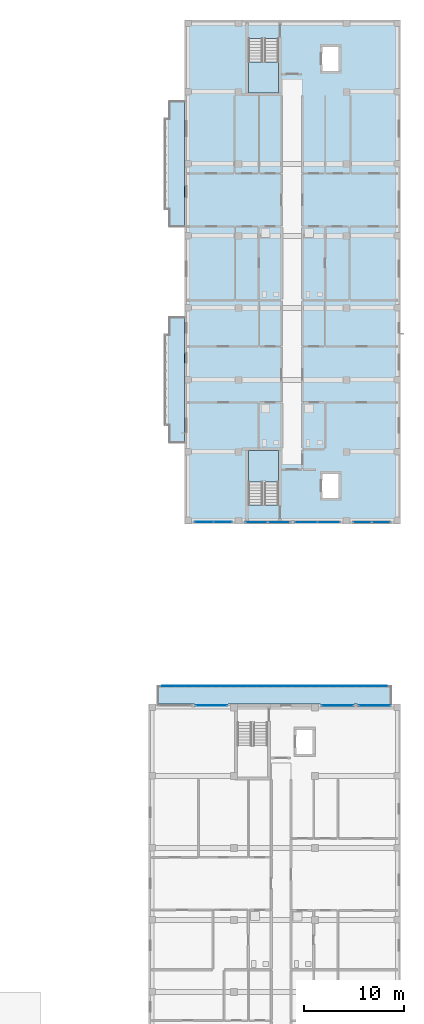
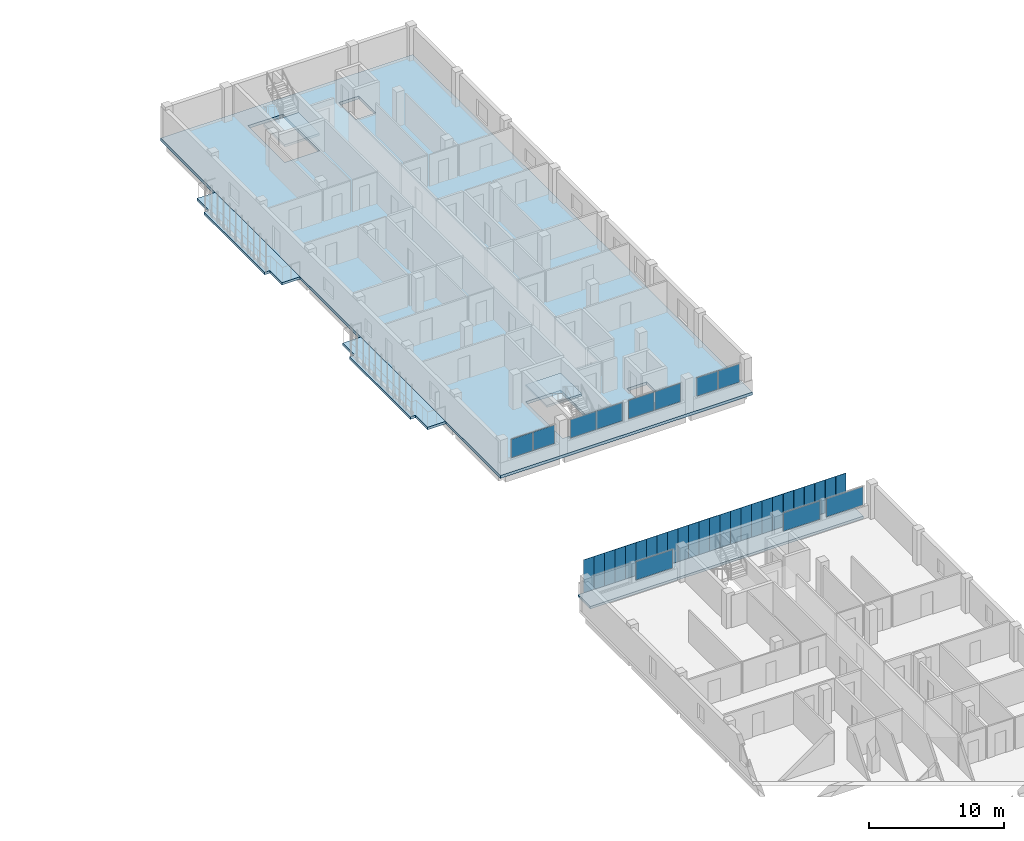
# One storey, part 23 of 51: 36 plates, 6 slabs, 9 elements without a shape of their own.
"""IFC4 building model written with IfcOpenShell, lengths in metres."""

from ifc_helpers import new_model, si_unit, derived_unit, direction, frame, origin, origin_2d, place, context, subcontext, project, spatial, polyline, rectangle, outline, extrude, material, layer, layer_set, type_object, element, aggregate, save


model = new_model("IFC4")

# Units and contexts
model_context = context("Model", 3, precision=1e-05, world=origin(), true_north=direction((0.0, 1.0)))
body_context = subcontext(model_context, "Body", "Model", "MODEL_VIEW")
ifc_project = project(units=[si_unit("LENGTHUNIT", "METRE"), si_unit("AREAUNIT", "SQUARE_METRE"), si_unit("VOLUMEUNIT", "CUBIC_METRE"), si_unit("PLANEANGLEUNIT", "RADIAN"), si_unit("MASSUNIT", "GRAM", prefix="KILO"), derived_unit("THERMALTRANSMITTANCEUNIT", [(si_unit("MASSUNIT", "GRAM", prefix="KILO"), 1), (si_unit("TIMEUNIT", "SECOND"), -3), (si_unit("THERMODYNAMICTEMPERATUREUNIT", "KELVIN"), -1)])], contexts=[model_context])

# Site, building, storey
site_placement = place(None, origin())
site = spatial("IfcSite", under=ifc_project, at=site_placement, CompositionType="ELEMENT")
building_placement = place(site_placement, origin())
building = spatial("IfcBuilding", under=site, at=building_placement, Name="Ochrekiln Boulevard Commons", CompositionType="ELEMENT")
storey_placement = place(building_placement, frame((0.0, 0.0, 15.22509765625)))
storey = spatial("IfcBuildingStorey", under=building, at=storey_placement, Name="L04", CompositionType="ELEMENT", Elevation=15.22509765625)

# Curtain wall, plates
ifc_material_1 = material(Name="Bronze-anodized extruded aluminium 6063-T6", Category="aluminium")
ifc_layer_1 = layer(ifc_material_1, 0.18408203125)
ifc_layer_set_1 = layer_set([ifc_layer_1], Name="Bronze-anodized extruded aluminium 6063-T6")
curtain_wall_type = type_object("IfcCurtainWallType", Name="CW-GABLE-B", PredefinedType="USERDEFINED", material=ifc_layer_set_1)
curtain_wall_1_placement = place(storey_placement, origin())
curtain_wall_1 = element("IfcCurtainWall", 1, at=curtain_wall_1_placement, inside=storey, type_object=curtain_wall_type, Name="Block B L04 Courtyard Glazed Gable Curtain Wall 2", ObjectType="GLAZED CURTAIN WALL", PredefinedType="USERDEFINED")
ifc_material_2 = material(Name="Spectrally selective low-E insulated glazing", Category="glass")
ifc_layer_2 = layer(ifc_material_2, 0.02392578125)
ifc_layer_set_2 = layer_set([ifc_layer_2], Name="Spectrally selective low-E insulated glazing")
plate_type_1 = type_object("IfcPlateType", Name="CWP-GLZ-1", PredefinedType="CURTAIN_PANEL", material=ifc_layer_set_2)
plate_1_placement = place(storey_placement, frame((158.38134765625, 68.570068359375, 1.175048828125), z_axis=(0.0, 0.0, 1.0), x_axis=(1.0, 0.0, 0.0)))
plate_1 = element("IfcPlate", 2, at=plate_1_placement, type_object=plate_type_1, Name="CW-02 panel 1.1", PredefinedType="CURTAIN_PANEL", context=body_context, shape_type="SweptSolid", body=[
    extrude(rectangle(XDim=2.1923828125, YDim=0.02392578125, at=origin_2d()), origin(), (0.0, 0.0, 1.0), 1.64990234375),
])
plate_2_placement = place(storey_placement, frame((160.638671875, 68.570068359375, 1.175048828125), z_axis=(0.0, 0.0, 1.0), x_axis=(1.0, 0.0, 0.0)))
plate_2 = element("IfcPlate", 3, at=plate_2_placement, type_object=plate_type_1, Name="CW-02 panel 2.1", PredefinedType="CURTAIN_PANEL", context=body_context, shape_type="SweptSolid", body=[
    extrude(rectangle(XDim=2.1923828125, YDim=0.02392578125, at=origin_2d()), origin(), (0.0, 0.0, 1.0), 1.64990234375),
])
aggregate(curtain_wall_1, [plate_1, plate_2])

# Curtain wall, plate
curtain_wall_2_placement = place(storey_placement, origin())
curtain_wall_2 = element("IfcCurtainWall", 4, at=curtain_wall_2_placement, inside=storey, type_object=curtain_wall_type, Name="Block C L04 Courtyard Glazed Gable Curtain Wall 4", ObjectType="GLAZED CURTAIN WALL", PredefinedType="USERDEFINED")
plate_3_placement = place(storey_placement, frame((170.18994140625, 50.235107421875, 1.175048828125), z_axis=(0.0, 0.0, 1.0), x_axis=(1.0, 0.0, 0.0)))
plate_3 = element("IfcPlate", 5, at=plate_3_placement, type_object=plate_type_1, Name="CW-02 panel 1.1", PredefinedType="CURTAIN_PANEL", context=body_context, shape_type="SweptSolid", body=[
    extrude(rectangle(XDim=3.14990234375, YDim=0.02392578125, at=origin_2d()), origin(), (0.0, 0.0, 1.0), 1.64990234375),
])
aggregate(curtain_wall_2, [plate_3])

# Curtain wall, plates
curtain_wall_3_placement = place(storey_placement, origin())
curtain_wall_3 = element("IfcCurtainWall", 6, at=curtain_wall_3_placement, inside=storey, type_object=curtain_wall_type, Name="Block B L04 Courtyard Glazed Gable Curtain Wall 3", ObjectType="GLAZED CURTAIN WALL", PredefinedType="USERDEFINED")
ifc_layer_3 = layer(ifc_material_2, 0.030029296875)
ifc_layer_set_3 = layer_set([ifc_layer_3], Name="Spectrally selective low-E insulated glazing")
plate_type_2 = type_object("IfcPlateType", Name="CWP-GLZ-2", PredefinedType="CURTAIN_PANEL", material=ifc_layer_set_3)
plate_4_placement = place(storey_placement, frame((163.360107421875, 68.570068359375, 1.169921875), z_axis=(0.0, 0.0, 1.0), x_axis=(1.0, 0.0, 0.0)))
plate_4 = element("IfcPlate", 7, at=plate_4_placement, type_object=plate_type_2, Name="CW-02 panel 1.1", PredefinedType="CURTAIN_PANEL", context=body_context, shape_type="SweptSolid", body=[
    extrude(rectangle(XDim=2.199951171875, YDim=0.030029296875, at=origin_2d()), origin(), (0.0, 0.0, 1.0), 1.659912109375),
])
plate_5_placement = place(storey_placement, frame((165.6201171875, 68.570068359375, 1.169921875), z_axis=(0.0, 0.0, 1.0), x_axis=(1.0, 0.0, 0.0)))
plate_5 = element("IfcPlate", 8, at=plate_5_placement, type_object=plate_type_2, Name="CW-02 panel 2.1", PredefinedType="CURTAIN_PANEL", context=body_context, shape_type="SweptSolid", body=[
    extrude(rectangle(XDim=2.199951171875, YDim=0.030029296875, at=origin_2d()), origin(), (0.0, 0.0, 1.0), 1.659912109375),
])
aggregate(curtain_wall_3, [plate_4, plate_5])

curtain_wall_4_placement = place(storey_placement, origin())
curtain_wall_4 = element("IfcCurtainWall", 9, at=curtain_wall_4_placement, inside=storey, type_object=curtain_wall_type, Name="Block B L04 Courtyard Glazed Gable Curtain Wall 4", ObjectType="GLAZED CURTAIN WALL", PredefinedType="USERDEFINED")
ifc_layer_4 = layer(ifc_material_2, 0.035888671875)
ifc_layer_set_4 = layer_set([ifc_layer_4], Name="Spectrally selective low-E insulated glazing")
plate_type_3 = type_object("IfcPlateType", Name="CWP-GLZ-3", PredefinedType="CURTAIN_PANEL", material=ifc_layer_set_4)
plate_6_placement = place(storey_placement, frame((168.98876953125, 68.570068359375, 1.175048828125), z_axis=(0.0, 0.0, 1.0), x_axis=(1.0, 0.0, 0.0)))
plate_6 = element("IfcPlate", 10, at=plate_6_placement, type_object=plate_type_3, Name="CW-02 panel 1.1", PredefinedType="CURTAIN_PANEL", context=body_context, shape_type="SweptSolid", body=[
    extrude(rectangle(XDim=1.8076171875, YDim=0.035888671875, at=origin_2d()), origin(), (0.0, 0.0, 1.0), 1.64990234375),
])
plate_7_placement = place(storey_placement, frame((170.861328125, 68.570068359375, 1.175048828125), z_axis=(0.0, 0.0, 1.0), x_axis=(1.0, 0.0, 0.0)))
plate_7 = element("IfcPlate", 11, at=plate_7_placement, type_object=plate_type_3, Name="CW-02 panel 2.1", PredefinedType="CURTAIN_PANEL", context=body_context, shape_type="SweptSolid", body=[
    extrude(rectangle(XDim=1.8076171875, YDim=0.035888671875, at=origin_2d()), origin(), (0.0, 0.0, 1.0), 1.64990234375),
])
aggregate(curtain_wall_4, [plate_6, plate_7])

# Curtain wall, plate
curtain_wall_5_placement = place(storey_placement, origin())
curtain_wall_5 = element("IfcCurtainWall", 12, at=curtain_wall_5_placement, inside=storey, type_object=curtain_wall_type, Name="Block C L04 Courtyard Glazed Gable Curtain Wall 2", ObjectType="GLAZED CURTAIN WALL", PredefinedType="USERDEFINED")
plate_8_placement = place(storey_placement, frame((153.889892578125, 50.235107421875, 1.175048828125), z_axis=(0.0, 0.0, 1.0), x_axis=(1.0, 0.0, 0.0)))
plate_8 = element("IfcPlate", 13, at=plate_8_placement, type_object=plate_type_3, Name="CW-02 panel 1.1", PredefinedType="CURTAIN_PANEL", context=body_context, shape_type="SweptSolid", body=[
    extrude(rectangle(XDim=3.14990234375, YDim=0.035888671875, at=origin_2d()), origin(), (0.0, 0.0, 1.0), 1.64990234375),
])
aggregate(curtain_wall_5, [plate_8])

# Curtain wall, plates
curtain_wall_6_placement = place(storey_placement, origin())
curtain_wall_6 = element("IfcCurtainWall", 14, at=curtain_wall_6_placement, inside=storey, type_object=curtain_wall_type, Name="Block B L04 Courtyard Glazed Gable Curtain Wall 1", ObjectType="GLAZED CURTAIN WALL", PredefinedType="USERDEFINED")
ifc_layer_5 = layer(ifc_material_2, 0.0419921875)
ifc_layer_set_5 = layer_set([ifc_layer_5], Name="Spectrally selective low-E insulated glazing")
plate_type_4 = type_object("IfcPlateType", Name="CWP-GLZ-4", PredefinedType="CURTAIN_PANEL", material=ifc_layer_set_5)
plate_9_placement = place(storey_placement, frame((153.137451171875, 68.570068359375, 1.169921875), z_axis=(0.0, 0.0, 1.0), x_axis=(1.0, 0.0, 0.0)))
plate_9 = element("IfcPlate", 15, at=plate_9_placement, type_object=plate_type_4, Name="CW-02 panel 1.1", PredefinedType="CURTAIN_PANEL", context=body_context, shape_type="SweptSolid", body=[
    extrude(rectangle(XDim=1.81494140625, YDim=0.0419921875, at=origin_2d()), origin(), (0.0, 0.0, 1.0), 1.659912109375),
])
plate_10_placement = place(storey_placement, frame((155.012451171875, 68.570068359375, 1.169921875), z_axis=(0.0, 0.0, 1.0), x_axis=(1.0, 0.0, 0.0)))
plate_10 = element("IfcPlate", 16, at=plate_10_placement, type_object=plate_type_4, Name="CW-02 panel 2.1", PredefinedType="CURTAIN_PANEL", context=body_context, shape_type="SweptSolid", body=[
    extrude(rectangle(XDim=1.81494140625, YDim=0.0419921875, at=origin_2d()), origin(), (0.0, 0.0, 1.0), 1.659912109375),
])
aggregate(curtain_wall_6, [plate_9, plate_10])

# Curtain wall, plate
curtain_wall_7_placement = place(storey_placement, origin())
curtain_wall_7 = element("IfcCurtainWall", 17, at=curtain_wall_7_placement, inside=storey, type_object=curtain_wall_type, Name="Block C L04 Courtyard Glazed Gable Curtain Wall 3", ObjectType="GLAZED CURTAIN WALL", PredefinedType="USERDEFINED")
plate_11_placement = place(storey_placement, frame((166.510009765625, 50.235107421875, 1.175048828125), z_axis=(0.0, 0.0, 1.0), x_axis=(1.0, 0.0, 0.0)))
plate_11 = element("IfcPlate", 18, at=plate_11_placement, type_object=plate_type_4, Name="CW-02 panel 1.1", PredefinedType="CURTAIN_PANEL", context=body_context, shape_type="SweptSolid", body=[
    extrude(rectangle(XDim=3.14990234375, YDim=0.0419921875, at=origin_2d()), origin(), (0.0, 0.0, 1.0), 1.64990234375),
])
aggregate(curtain_wall_7, [plate_11])

# Plates
ifc_layer_6 = layer(ifc_material_1, 0.02587890625)
ifc_layer_set_6 = layer_set([ifc_layer_6], Name="Bronze-anodized extruded aluminium 6063-T6")
plate_type_5 = type_object("IfcPlateType", Name="PLT-SCR-BRZ-2", PredefinedType="USERDEFINED", material=ifc_layer_set_6)
for number, where, z_axis, x_axis, name in (
    (19, (149.39990234375, 52.18994140625, -0.16015625), (0.0, 0.0, 1.0), (1.0, 0.0, 0.0), "Block C L04 Perforated Bronze Mesh Screen Panel 1"),
    (20, (150.300048828125, 52.18994140625, -0.16015625), (0.0, 0.0, 1.0), (1.0, 0.0, 0.0), "Block C L04 Perforated Bronze Mesh Screen Panel 2"),
    (21, (151.199951171875, 52.18994140625, -0.16015625), (0.0, 0.0, 1.0), (1.0, 0.0, 0.0), "Block C L04 Perforated Bronze Mesh Screen Panel 3"),
    (22, (152.10009765625, 52.18994140625, -0.16015625), (0.0, 0.0, 1.0), (1.0, 0.0, 0.0), "Block C L04 Perforated Bronze Mesh Screen Panel 4"),
    (23, (153.0, 52.18994140625, -0.16015625), (0.0, 0.0, 1.0), (1.0, 0.0, 0.0), "Block C L04 Perforated Bronze Mesh Screen Panel 5"),
    (24, (153.89990234375, 52.18994140625, -0.16015625), (0.0, 0.0, 1.0), (1.0, 0.0, 0.0), "Block C L04 Perforated Bronze Mesh Screen Panel 6"),
    (25, (154.800048828125, 52.18994140625, -0.16015625), (0.0, 0.0, 1.0), (1.0, 0.0, 0.0), "Block C L04 Perforated Bronze Mesh Screen Panel 7"),
    (26, (155.699951171875, 52.18994140625, -0.16015625), (0.0, 0.0, 1.0), (1.0, 0.0, 0.0), "Block C L04 Perforated Bronze Mesh Screen Panel 8"),
    (27, (156.60009765625, 52.18994140625, -0.16015625), (0.0, 0.0, 1.0), (1.0, 0.0, 0.0), "Block C L04 Perforated Bronze Mesh Screen Panel 9"),
    (28, (157.5, 52.18994140625, -0.16015625), (0.0, 0.0, 1.0), (1.0, 0.0, 0.0), "Block C L04 Perforated Bronze Mesh Screen Panel 10"),
    (29, (158.39990234375, 52.18994140625, -0.16015625), (0.0, 0.0, 1.0), (1.0, 0.0, 0.0), "Block C L04 Perforated Bronze Mesh Screen Panel 11"),
    (30, (159.300048828125, 52.18994140625, -0.16015625), (0.0, 0.0, 1.0), (1.0, 0.0, 0.0), "Block C L04 Perforated Bronze Mesh Screen Panel 12"),
    (31, (160.199951171875, 52.18994140625, -0.16015625), (0.0, 0.0, 1.0), (1.0, 0.0, 0.0), "Block C L04 Perforated Bronze Mesh Screen Panel 13"),
    (32, (161.10009765625, 52.18994140625, -0.16015625), (0.0, 0.0, 1.0), (1.0, 0.0, 0.0), "Block C L04 Perforated Bronze Mesh Screen Panel 14"),
    (33, (162.0, 52.18994140625, -0.16015625), (0.0, 0.0, 1.0), (1.0, 0.0, 0.0), "Block C L04 Perforated Bronze Mesh Screen Panel 15"),
    (34, (162.89990234375, 52.18994140625, -0.16015625), (0.0, 0.0, 1.0), (1.0, 0.0, 0.0), "Block C L04 Perforated Bronze Mesh Screen Panel 16"),
    (35, (163.800048828125, 52.18994140625, -0.16015625), (0.0, 0.0, 1.0), (1.0, 0.0, 0.0), "Block C L04 Perforated Bronze Mesh Screen Panel 17"),
    (36, (164.699951171875, 52.18994140625, -0.16015625), (0.0, 0.0, 1.0), (1.0, 0.0, 0.0), "Block C L04 Perforated Bronze Mesh Screen Panel 18"),
    (37, (165.60009765625, 52.18994140625, -0.16015625), (0.0, 0.0, 1.0), (1.0, 0.0, 0.0), "Block C L04 Perforated Bronze Mesh Screen Panel 19"),
    (38, (166.5, 52.18994140625, -0.16015625), (0.0, 0.0, 1.0), (1.0, 0.0, 0.0), "Block C L04 Perforated Bronze Mesh Screen Panel 20"),
    (39, (167.39990234375, 52.18994140625, -0.16015625), (0.0, 0.0, 1.0), (1.0, 0.0, 0.0), "Block C L04 Perforated Bronze Mesh Screen Panel 21"),
    (40, (168.300048828125, 52.18994140625, -0.16015625), (0.0, 0.0, 1.0), (1.0, 0.0, 0.0), "Block C L04 Perforated Bronze Mesh Screen Panel 22"),
    (41, (169.199951171875, 52.18994140625, -0.16015625), (0.0, 0.0, 1.0), (1.0, 0.0, 0.0), "Block C L04 Perforated Bronze Mesh Screen Panel 23"),
    (42, (170.10009765625, 52.18994140625, -0.16015625), (0.0, 0.0, 1.0), (1.0, 0.0, 0.0), "Block C L04 Perforated Bronze Mesh Screen Panel 24"),
    (43, (171.0, 52.18994140625, -0.16015625), (0.0, 0.0, 1.0), (1.0, 0.0, 0.0), "Block C L04 Perforated Bronze Mesh Screen Panel 25"),
):
    element("IfcPlate", number, at=place(storey_placement, frame(where, z_axis=z_axis, x_axis=x_axis)), inside=storey, type_object=plate_type_5, Name=name, ObjectType="SCREEN", PredefinedType="USERDEFINED", context=body_context, shape_type="SweptSolid", body=[
        extrude(rectangle(XDim=0.8798828125, YDim=0.02587890625, at=origin_2d()), origin(), (0.0, 0.0, 1.0), 3.14990234375),
    ])

# Slabs
ifc_material_3 = material(Name="Concrete C35/45", Category="concrete")
ifc_layer_7 = layer(ifc_material_3, 0.219970703125)
ifc_layer_set_7 = layer_set([ifc_layer_7], Name="Concrete C35/45")
slab_type_1 = type_object("IfcSlabType", Name="SLB-BAL-220", PredefinedType="FLOOR", material=ifc_layer_set_7)
slab_1_placement = place(storey_placement, frame((0.0, 0.0, -0.22021484375)))
element("IfcSlab", 44, at=slab_1_placement, inside=storey, type_object=slab_type_1, Name="Block B L04 Planter-Box Balcony Slab 1", PredefinedType="FLOOR", context=body_context, shape_type="SweptSolid", body=[
    extrude(outline(polyline([(151.199951171875, 76.5), (151.199951171875, 89.10009765625), (149.64990234375, 89.10009765625), (149.64990234375, 87.300048828125), (149.199951171875, 87.300048828125), (149.199951171875, 78.300048828125), (149.64990234375, 78.300048828125), (149.64990234375, 76.5), (151.199951171875, 76.5)])), origin(), (0.0, 0.0, 1.0), 0.22021484375),
])
slab_2_placement = place(storey_placement, frame((0.0, 0.0, -0.22021484375)))
element("IfcSlab", 45, at=slab_2_placement, inside=storey, type_object=slab_type_1, Name="Block B L04 Planter-Box Balcony Slab 2", PredefinedType="FLOOR", context=body_context, shape_type="SweptSolid", body=[
    extrude(outline(polyline([(151.199951171875, 98.10009765625), (151.199951171875, 110.699951171875), (149.64990234375, 110.699951171875), (149.64990234375, 108.89990234375), (149.199951171875, 108.89990234375), (149.199951171875, 99.89990234375), (149.64990234375, 99.89990234375), (149.64990234375, 98.10009765625), (151.199951171875, 98.10009765625)])), origin(), (0.0, 0.0, 1.0), 0.22021484375),
])
slab_3_placement = place(storey_placement, frame((0.0, 0.0, -0.22021484375)))
element("IfcSlab", 46, at=slab_3_placement, inside=storey, type_object=slab_type_1, Name="Block C L04 Screened North Courtyard Balcony Slab", PredefinedType="FLOOR", context=body_context, shape_type="SweptSolid", body=[
    extrude(outline(polyline([(148.5, 50.39990234375), (171.89990234375, 50.39990234375), (171.89990234375, 52.199951171875), (148.5, 52.199951171875), (148.5, 50.39990234375)])), origin(), (0.0, 0.0, 1.0), 0.22021484375),
])

# Stair, slab
stair_type = type_object("IfcStairType", Name="STR-DL-315", PredefinedType="TWO_STRAIGHT_RUN_STAIR", material=ifc_material_3)
stair_1_placement = place(storey_placement, origin())
stair_1 = element("IfcStair", 47, at=stair_1_placement, inside=storey, type_object=stair_type, Name="L04 Enclosed Exit Stair ST-B1", PredefinedType="TWO_STRAIGHT_RUN_STAIR")
ifc_layer_8 = layer(ifc_material_3, 0.199951171875)
ifc_layer_set_8 = layer_set([ifc_layer_8], Name="Concrete C35/45")
slab_type_2 = type_object("IfcSlabType", Name="SLB-LND-200", PredefinedType="LANDING", material=ifc_layer_set_8)
slab_4_placement = place(storey_placement, frame((0.0, 0.0, 1.375)))
slab_4 = element("IfcSlab", 48, at=slab_4_placement, type_object=slab_type_2, Name="ST-B1 landing 1", PredefinedType="LANDING", context=body_context, shape_type="SweptSolid", body=[
    extrude(outline(polyline([(160.60009765625, 72.590087890625), (160.60009765625, 75.719970703125), (157.60009765625, 75.719970703125), (157.60009765625, 72.590087890625), (160.60009765625, 72.590087890625)])), origin(), (0.0, 0.0, 1.0), 0.199951171875),
])
aggregate(stair_1, [slab_4])

stair_2_placement = place(storey_placement, origin())
stair_2 = element("IfcStair", 49, at=stair_2_placement, inside=storey, type_object=stair_type, Name="L04 Enclosed Exit Stair ST-B2", PredefinedType="TWO_STRAIGHT_RUN_STAIR")
slab_5_placement = place(storey_placement, frame((0.0, 0.0, 1.375)))
slab_5 = element("IfcSlab", 50, at=slab_5_placement, type_object=slab_type_2, Name="ST-B2 landing 1", PredefinedType="LANDING", context=body_context, shape_type="SweptSolid", body=[
    extrude(outline(polyline([(157.60009765625, 114.610107421875), (157.60009765625, 111.47998046875), (160.60009765625, 111.47998046875), (160.60009765625, 114.610107421875), (157.60009765625, 114.610107421875)])), origin(), (0.0, 0.0, 1.0), 0.199951171875),
])
aggregate(stair_2, [slab_5])

# Slab
ifc_layer_9 = layer(ifc_material_3, 0.260009765625)
ifc_layer_set_9 = layer_set([ifc_layer_9], Name="Concrete C35/45")
slab_type_3 = type_object("IfcSlabType", Name="SLB-RES-260", PredefinedType="FLOOR", material=ifc_layer_set_9)
slab_6_placement = place(storey_placement, frame((0.0, 0.0, -0.260009765625)))
element("IfcSlab", 51, at=slab_6_placement, inside=storey, type_object=slab_type_3, Name="Block B L04 Reinforced Concrete Floor Slab", PredefinedType="FLOOR", context=body_context, shape_type="SweptSolid", body=[
    extrude(outline(polyline([(151.199951171875, 68.39990234375), (172.800048828125, 68.39990234375), (172.800048828125, 118.800048828125), (151.199951171875, 118.800048828125), (151.199951171875, 68.39990234375)]), holes=[polyline([(160.60009765625, 70.2705078125), (160.60009765625, 75.719970703125), (157.60009765625, 75.719970703125), (157.60009765625, 70.2705078125), (160.60009765625, 70.2705078125)]), polyline([(157.60009765625, 116.929443359375), (157.60009765625, 111.47998046875), (160.60009765625, 111.47998046875), (160.60009765625, 116.929443359375), (157.60009765625, 116.929443359375)]), polyline([(164.949951171875, 70.949951171875), (166.64990234375, 70.949951171875), (166.64990234375, 73.449951171875), (164.949951171875, 73.449951171875), (164.949951171875, 70.949951171875)]), polyline([(164.949951171875, 113.64990234375), (166.64990234375, 113.64990234375), (166.64990234375, 116.14990234375), (164.949951171875, 116.14990234375), (164.949951171875, 113.64990234375)])]), origin(), (0.0, 0.0, 1.0), 0.260009765625),
])

save(model, "model.ifc")
